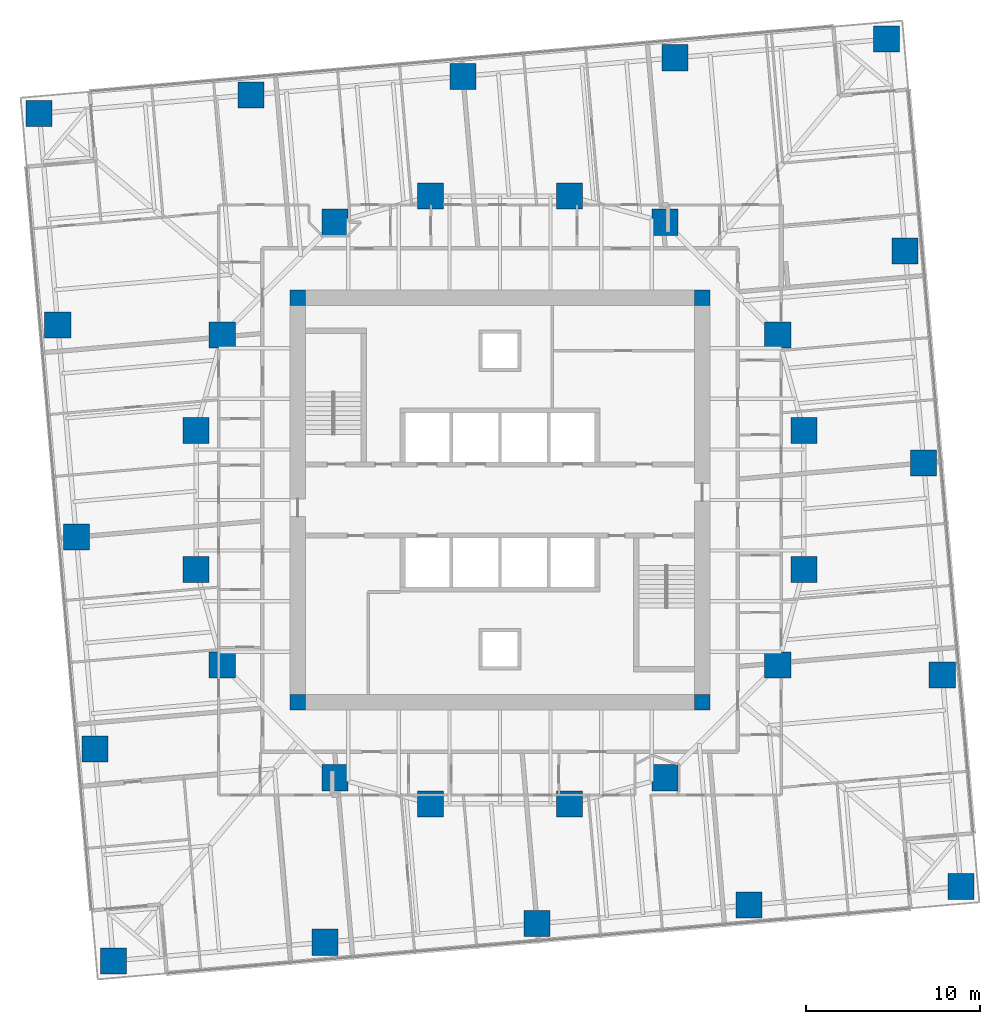
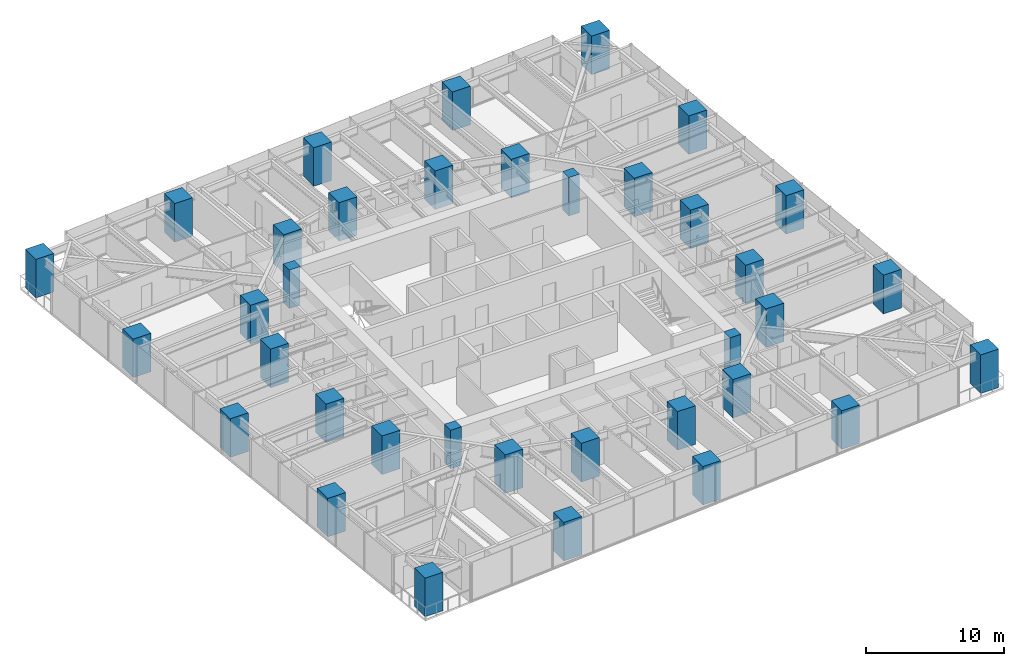
# One storey, part 1 of 14: 36 columns.
"""IFC4 building model written with IfcOpenShell, lengths in metres."""

from ifc_helpers import new_model, si_unit, direction, frame, origin, origin_2d, place, context, subcontext, project, spatial, rectangle, extrude, material, material_profile, profile_set, type_object, element, save


model = new_model("IFC4")

# Units and contexts
model_context = context("Model", 3, precision=1e-05, world=origin(), true_north=direction((0.0, 1.0)))
body_context = subcontext(model_context, "Body", "Model", "MODEL_VIEW")
ifc_project = project(units=[si_unit("LENGTHUNIT", "METRE"), si_unit("AREAUNIT", "SQUARE_METRE"), si_unit("VOLUMEUNIT", "CUBIC_METRE"), si_unit("PLANEANGLEUNIT", "RADIAN"), si_unit("MASSUNIT", "GRAM", prefix="KILO")], contexts=[model_context])

# Site, building, storey
site_placement = place(None, origin())
site = spatial("IfcSite", under=ifc_project, at=site_placement, CompositionType="ELEMENT")
building_placement = place(site_placement, origin())
building = spatial("IfcBuilding", under=site, at=building_placement, Name="Torsade Residences", CompositionType="ELEMENT")
storey_placement = place(building_placement, frame((0.0, 0.0, 60.800048828125)))
storey = spatial("IfcBuildingStorey", under=building, at=storey_placement, Name="L16", CompositionType="ELEMENT", Elevation=60.800048828125)

# Columns
ifc_material_1 = material(Name="Concrete 80 MPa", Category="concrete")
ifc_material_profile_1 = material_profile(ifc_material_1, rectangle(XDim=0.89990234375, YDim=0.89990234375, at=origin_2d()), Name="RC 900x900")
ifc_profile_set_1 = profile_set([ifc_material_profile_1], Name="Concrete 80 MPa")
column_type_1 = type_object("IfcColumnType", Name="CORE CORNER COLUMN RC 900x900", PredefinedType="COLUMN", material=ifc_profile_set_1)
for number, where, z_axis, x_axis, name in (
    (1, (28.35009765625, 18.35009765625, 0.0), (0.0, 0.0, 1.0), (1.0, 0.0, 0.0), "Core corner column CC1 L16"),
    (2, (51.64990234375, 18.35009765625, 0.0), (0.0, 0.0, 1.0), (1.0, 0.0, 0.0), "Core corner column CC2 L16"),
    (3, (51.64990234375, 41.64990234375, 0.0), (0.0, 0.0, 1.0), (1.0, 0.0, 0.0), "Core corner column CC3 L16"),
    (4, (28.35009765625, 41.64990234375, 0.0), (0.0, 0.0, 1.0), (1.0, 0.0, 0.0), "Core corner column CC4 L16"),
):
    element("IfcColumn", number, at=place(storey_placement, frame(where, z_axis=z_axis, x_axis=x_axis)), inside=storey, type_object=column_type_1, Name=name, PredefinedType="COLUMN", context=body_context, shape_type="SweptSolid", body=[
        extrude(rectangle(XDim=0.89990234375, YDim=0.89990234375, at=origin_2d()), origin(), (0.0, 0.0, 1.0), 3.39990234375),
    ])
ifc_material_2 = material(Name="Concrete 80 MPa", Category="concrete")
ifc_material_profile_2 = material_profile(ifc_material_2, rectangle(XDim=1.5, YDim=1.5, at=origin_2d()), Name="RC 1500x1500")
ifc_profile_set_2 = profile_set([ifc_material_profile_2], Name="Concrete 80 MPa")
column_type_2 = type_object("IfcColumnType", Name="INNER RING COLUMN RC 1500x1500", PredefinedType="COLUMN", material=ifc_profile_set_2)
for number, where, z_axis, x_axis, name in (
    (5, (57.5, 26.0, 0.0), (0.0, 0.0, 1.0), (1.0, 0.0, 0.0), "Inner ring column IR01 L16"),
    (6, (57.5, 34.0, 0.0), (0.0, 0.0, 1.0), (1.0, 0.0, 0.0), "Inner ring column IR02 L16"),
    (7, (56.0, 39.5, 0.0), (0.0, 0.0, 1.0), (1.0, 0.0, 0.0), "Inner ring column IR03 L16"),
    (8, (49.5, 46.0, 0.0), (0.0, 0.0, 1.0), (1.0, 0.0, 0.0), "Inner ring column IR04 L16"),
    (9, (44.0, 47.5, 0.0), (0.0, 0.0, 1.0), (1.0, 0.0, 0.0), "Inner ring column IR05 L16"),
    (10, (36.0, 47.5, 0.0), (0.0, 0.0, 1.0), (1.0, 0.0, 0.0), "Inner ring column IR06 L16"),
    (11, (30.5, 46.0, 0.0), (0.0, 0.0, 1.0), (1.0, 0.0, 0.0), "Inner ring column IR07 L16"),
    (12, (24.0, 39.5, 0.0), (0.0, 0.0, 1.0), (1.0, 0.0, 0.0), "Inner ring column IR08 L16"),
    (13, (22.5, 34.0, 0.0), (0.0, 0.0, 1.0), (1.0, 0.0, 0.0), "Inner ring column IR09 L16"),
    (14, (22.5, 26.0, 0.0), (0.0, 0.0, 1.0), (1.0, 0.0, 0.0), "Inner ring column IR10 L16"),
    (15, (24.0, 20.5, 0.0), (0.0, 0.0, 1.0), (1.0, 0.0, 0.0), "Inner ring column IR11 L16"),
    (16, (30.5, 14.0, 0.0), (0.0, 0.0, 1.0), (1.0, 0.0, 0.0), "Inner ring column IR12 L16"),
    (17, (36.0, 12.5, 0.0), (0.0, 0.0, 1.0), (1.0, 0.0, 0.0), "Inner ring column IR13 L16"),
    (18, (44.0, 12.5, 0.0), (0.0, 0.0, 1.0), (1.0, 0.0, 0.0), "Inner ring column IR14 L16"),
    (19, (49.5, 14.0, 0.0), (0.0, 0.0, 1.0), (1.0, 0.0, 0.0), "Inner ring column IR15 L16"),
    (20, (56.0, 20.5, 0.0), (0.0, 0.0, 1.0), (1.0, 0.0, 0.0), "Inner ring column IR16 L16"),
):
    element("IfcColumn", number, at=place(storey_placement, frame(where, z_axis=z_axis, x_axis=x_axis)), inside=storey, type_object=column_type_2, Name=name, PredefinedType="COLUMN", context=body_context, shape_type="SweptSolid", body=[
        extrude(rectangle(XDim=1.5, YDim=1.5, at=origin_2d()), origin(), (0.0, 0.0, 1.0), 3.39990234375),
    ])
ifc_material_3 = material(Name="Concrete 80 MPa", Category="concrete")
ifc_material_profile_3 = material_profile(ifc_material_3, rectangle(XDim=1.5, YDim=1.5, at=origin_2d()), Name="RC 1500x1500")
ifc_profile_set_3 = profile_set([ifc_material_profile_3], Name="Concrete 80 MPa")
column_type_3 = type_object("IfcColumnType", Name="TOWER COLUMN RC 1500x1500", PredefinedType="COLUMN", material=ifc_profile_set_3)
for number, where, z_axis, x_axis, name in (
    (21, (17.728515625, 3.4580078125, 0.0), (0.0, 0.0, 1.0), (1.0, 0.0, 0.0), "Column TC2-01 L16"),
    (22, (29.931884765625, 4.525634765625, 0.0), (0.0, 0.0, 1.0), (1.0, 0.0, 0.0), "Column TC2-02 L16"),
    (23, (42.13525390625, 5.59326171875, 0.0), (0.0, 0.0, 1.0), (1.0, 0.0, 0.0), "Column TC2-03 L16"),
    (24, (54.338623046875, 6.660888671875, 0.0), (0.0, 0.0, 1.0), (1.0, 0.0, 0.0), "Column TC2-04 L16"),
    (25, (66.5419921875, 7.728515625, 0.0), (0.0, 0.0, 1.0), (1.0, 0.0, 0.0), "Column TC2-05 L16"),
    (26, (65.474365234375, 19.931884765625, 0.0), (0.0, 0.0, 1.0), (1.0, 0.0, 0.0), "Column TC2-06 L16"),
    (27, (64.40673828125, 32.13525390625, 0.0), (0.0, 0.0, 1.0), (1.0, 0.0, 0.0), "Column TC2-07 L16"),
    (28, (63.339111328125, 44.338623046875, 0.0), (0.0, 0.0, 1.0), (1.0, 0.0, 0.0), "Column TC2-08 L16"),
    (29, (62.271484375, 56.5419921875, 0.0), (0.0, 0.0, 1.0), (1.0, 0.0, 0.0), "Column TC2-09 L16"),
    (30, (50.068115234375, 55.474365234375, 0.0), (0.0, 0.0, 1.0), (1.0, 0.0, 0.0), "Column TC2-10 L16"),
    (31, (37.86474609375, 54.40673828125, 0.0), (0.0, 0.0, 1.0), (1.0, 0.0, 0.0), "Column TC2-11 L16"),
    (32, (25.661376953125, 53.339111328125, 0.0), (0.0, 0.0, 1.0), (1.0, 0.0, 0.0), "Column TC2-12 L16"),
    (33, (13.4580078125, 52.271484375, 0.0), (0.0, 0.0, 1.0), (1.0, 0.0, 0.0), "Column TC2-13 L16"),
    (34, (14.525634765625, 40.068115234375, 0.0), (0.0, 0.0, 1.0), (1.0, 0.0, 0.0), "Column TC2-14 L16"),
    (35, (15.59326171875, 27.86474609375, 0.0), (0.0, 0.0, 1.0), (1.0, 0.0, 0.0), "Column TC2-15 L16"),
    (36, (16.660888671875, 15.661376953125, 0.0), (0.0, 0.0, 1.0), (1.0, 0.0, 0.0), "Column TC2-16 L16"),
):
    element("IfcColumn", number, at=place(storey_placement, frame(where, z_axis=z_axis, x_axis=x_axis)), inside=storey, type_object=column_type_3, Name=name, PredefinedType="COLUMN", context=body_context, shape_type="SweptSolid", body=[
        extrude(rectangle(XDim=1.5, YDim=1.5, at=origin_2d()), origin(), (0.0, 0.0, 1.0), 3.39990234375),
    ])

save(model, "model.ifc")
